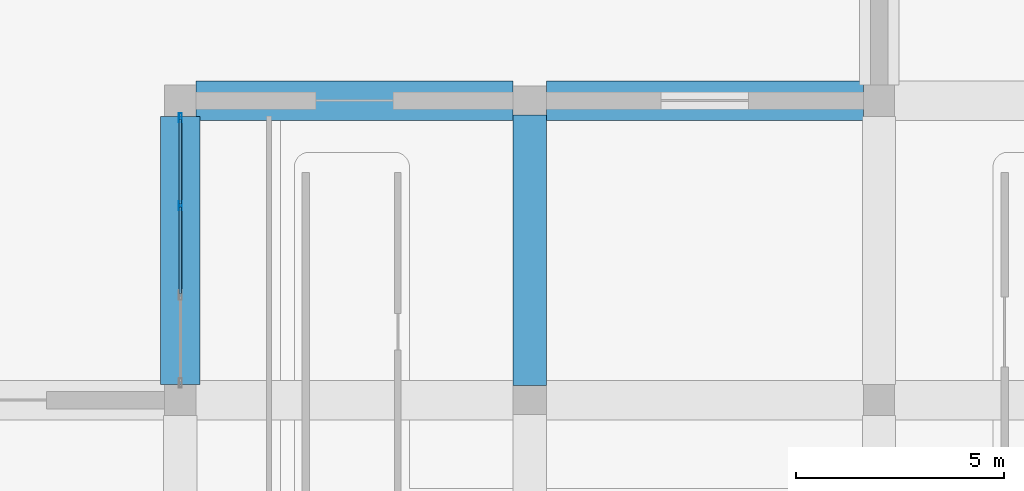
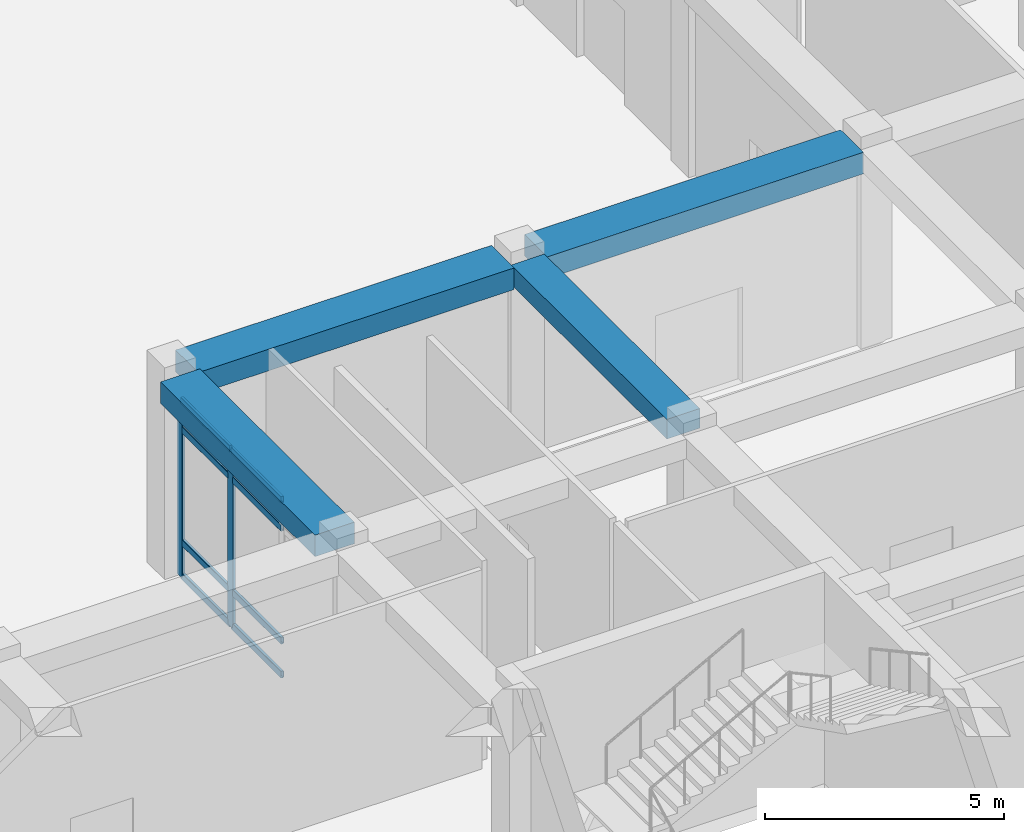
# One storey, part 30 of 84: 10 members, 4 beams, 1 element without a shape of its own.
"""IFC4 building model written with IfcOpenShell, lengths in metres."""

from ifc_helpers import new_model, si_unit, derived_unit, direction, frame, origin, origin_2d, place, context, subcontext, project, spatial, rectangle, hollow_rectangle, extrude, material, material_profile, profile_set, type_object, element, aggregate, save


model = new_model("IFC4")

# Units and contexts
model_context = context("Model", 3, precision=1e-05, world=origin(), true_north=direction((0.0, 1.0)))
body_context = subcontext(model_context, "Body", "Model", "MODEL_VIEW")
ifc_project = project(units=[si_unit("LENGTHUNIT", "METRE"), si_unit("AREAUNIT", "SQUARE_METRE"), si_unit("VOLUMEUNIT", "CUBIC_METRE"), si_unit("PLANEANGLEUNIT", "RADIAN"), si_unit("MASSUNIT", "GRAM", prefix="KILO"), derived_unit("THERMALTRANSMITTANCEUNIT", [(si_unit("POWERUNIT", "WATT"), 1), (si_unit("LENGTHUNIT", "METRE"), -2), (si_unit("THERMODYNAMICTEMPERATUREUNIT", "KELVIN"), -1)])], contexts=[model_context])

# Site, building, storey
site_placement = place(None, origin())
site = spatial("IfcSite", under=ifc_project, at=site_placement, CompositionType="ELEMENT")
building_placement = place(site_placement, origin())
building = spatial("IfcBuilding", under=site, at=building_placement, Name="Veybourne Emporium", CompositionType="ELEMENT")
storey_placement = place(building_placement, origin())
storey = spatial("IfcBuildingStorey", under=building, at=storey_placement, Name="L00", CompositionType="ELEMENT", Elevation=0.0)

# Curtain wall, members
ifc_material_1 = material(Name="Patinated Architectural Bronze", Category="bronze")
curtain_wall_type = type_object("IfcCurtainWallType", Name="CWSystem_CWS-01", PredefinedType="NOTDEFINED", material=ifc_material_1)
curtain_wall_placement = place(storey_placement, origin())
curtain_wall = element("IfcCurtainWall", 1, at=curtain_wall_placement, inside=storey, type_object=curtain_wall_type, Name="L00 bronze glazed curtain wall CWS-01 (018)", PredefinedType="NOTDEFINED")
ifc_material_profile_1 = material_profile(ifc_material_1, hollow_rectangle(XDim=0.072021484375, YDim=0.22509765625, WallThickness=0.0048828125, InnerFilletRadius=0.007568359375, OuterFilletRadius=0.012451171875, at=origin_2d()), Name="CWM 72x225x5")
ifc_profile_set_1 = profile_set([ifc_material_profile_1], Name="Patinated Architectural Bronze")
member_type_1 = type_object("IfcMemberType", Name="CWMullion_CW-M1", PredefinedType="MULLION", material=ifc_profile_set_1)
member_1_placement = place(storey_placement, frame((16.800048828125, 83.875, 0.0), z_axis=(0.0, 0.0, 1.0), x_axis=(-1.0, 0.0, 0.0)))
member_1 = element("IfcMember", 2, at=member_1_placement, type_object=member_type_1, Name="CWS-01 mullion 3", PredefinedType="MULLION", context=body_context, shape_type="SweptSolid", body=[
    extrude(hollow_rectangle(XDim=0.072021484375, YDim=0.22509765625, WallThickness=0.0048828125, InnerFilletRadius=0.007568359375, OuterFilletRadius=0.012451171875, at=origin_2d()), origin(), (0.0, 0.0, 1.0), 4.530029296875),
])
member_2_placement = place(storey_placement, frame((16.800048828125, 85.989013671875, 0.0), z_axis=(0.0, 0.0, 1.0), x_axis=(-1.0, 0.0, 0.0)))
member_2 = element("IfcMember", 3, at=member_2_placement, type_object=member_type_1, Name="CWS-01 mullion 4", PredefinedType="MULLION", context=body_context, shape_type="SweptSolid", body=[
    extrude(hollow_rectangle(XDim=0.072021484375, YDim=0.22509765625, WallThickness=0.0048828125, InnerFilletRadius=0.007568359375, OuterFilletRadius=0.012451171875, at=origin_2d()), origin(), (0.0, 0.0, 1.0), 4.530029296875),
])
ifc_material_profile_2 = material_profile(ifc_material_1, hollow_rectangle(XDim=0.072021484375, YDim=0.175048828125, WallThickness=0.0048828125, InnerFilletRadius=0.007568359375, OuterFilletRadius=0.012451171875, at=origin_2d()), Name="CWT 72x175x5")
ifc_profile_set_2 = profile_set([ifc_material_profile_2], Name="Patinated Architectural Bronze")
member_type_2 = type_object("IfcMemberType", Name="CWTransom_CW-T1", PredefinedType="NOTDEFINED", material=ifc_profile_set_2)
member_3_placement = place(storey_placement, frame((16.800048828125, 81.760986328125, 0.035888671875), z_axis=(0.0, 1.0, 0.0), x_axis=(-1.0, 0.0, 0.0)))
member_3 = element("IfcMember", 4, at=member_3_placement, type_object=member_type_2, Name="CWS-01 transom 2.1", ObjectType="TRANSOM", PredefinedType="USERDEFINED", context=body_context, shape_type="SweptSolid", body=[
    extrude(hollow_rectangle(XDim=0.072021484375, YDim=0.175048828125, WallThickness=0.0048828125, InnerFilletRadius=0.007568359375, OuterFilletRadius=0.012451171875, at=origin_2d()), origin(), (0.0, 0.0, 1.0), 2.078125),
])
member_4_placement = place(storey_placement, frame((16.800048828125, 81.760986328125, 0.89990234375), z_axis=(0.0, 1.0, 0.0), x_axis=(-1.0, 0.0, 0.0)))
member_4 = element("IfcMember", 5, at=member_4_placement, type_object=member_type_2, Name="CWS-01 transom 2.2", ObjectType="TRANSOM", PredefinedType="USERDEFINED", context=body_context, shape_type="SweptSolid", body=[
    extrude(hollow_rectangle(XDim=0.072021484375, YDim=0.175048828125, WallThickness=0.0048828125, InnerFilletRadius=0.007568359375, OuterFilletRadius=0.012451171875, at=origin_2d()), origin(), (0.0, 0.0, 1.0), 2.078125),
])
member_5_placement = place(storey_placement, frame((16.800048828125, 81.760986328125, 3.780029296875), z_axis=(0.0, 1.0, 0.0), x_axis=(-1.0, 0.0, 0.0)))
member_5 = element("IfcMember", 6, at=member_5_placement, type_object=member_type_2, Name="CWS-01 transom 2.3", ObjectType="TRANSOM", PredefinedType="USERDEFINED", context=body_context, shape_type="SweptSolid", body=[
    extrude(hollow_rectangle(XDim=0.072021484375, YDim=0.175048828125, WallThickness=0.0048828125, InnerFilletRadius=0.007568359375, OuterFilletRadius=0.012451171875, at=origin_2d()), origin(), (0.0, 0.0, 1.0), 2.078125),
])
member_6_placement = place(storey_placement, frame((16.800048828125, 81.760986328125, 4.493896484375), z_axis=(0.0, 1.0, 0.0), x_axis=(-1.0, 0.0, 0.0)))
member_6 = element("IfcMember", 7, at=member_6_placement, type_object=member_type_2, Name="CWS-01 transom 2.4", ObjectType="TRANSOM", PredefinedType="USERDEFINED", context=body_context, shape_type="SweptSolid", body=[
    extrude(hollow_rectangle(XDim=0.072021484375, YDim=0.175048828125, WallThickness=0.0048828125, InnerFilletRadius=0.007568359375, OuterFilletRadius=0.012451171875, at=origin_2d()), origin(), (0.0, 0.0, 1.0), 2.078125),
])
member_7_placement = place(storey_placement, frame((16.800048828125, 83.910888671875, 0.035888671875), z_axis=(0.0, 1.0, 0.0), x_axis=(-1.0, 0.0, 0.0)))
member_7 = element("IfcMember", 8, at=member_7_placement, type_object=member_type_2, Name="CWS-01 transom 3.1", ObjectType="TRANSOM", PredefinedType="USERDEFINED", context=body_context, shape_type="SweptSolid", body=[
    extrude(hollow_rectangle(XDim=0.072021484375, YDim=0.175048828125, WallThickness=0.0048828125, InnerFilletRadius=0.007568359375, OuterFilletRadius=0.012451171875, at=origin_2d()), origin(), (0.0, 0.0, 1.0), 2.0419921875),
])
member_8_placement = place(storey_placement, frame((16.800048828125, 83.910888671875, 0.89990234375), z_axis=(0.0, 1.0, 0.0), x_axis=(-1.0, 0.0, 0.0)))
member_8 = element("IfcMember", 9, at=member_8_placement, type_object=member_type_2, Name="CWS-01 transom 3.2", ObjectType="TRANSOM", PredefinedType="USERDEFINED", context=body_context, shape_type="SweptSolid", body=[
    extrude(hollow_rectangle(XDim=0.072021484375, YDim=0.175048828125, WallThickness=0.0048828125, InnerFilletRadius=0.007568359375, OuterFilletRadius=0.012451171875, at=origin_2d()), origin(), (0.0, 0.0, 1.0), 2.0419921875),
])
member_9_placement = place(storey_placement, frame((16.800048828125, 83.910888671875, 3.780029296875), z_axis=(0.0, 1.0, 0.0), x_axis=(-1.0, 0.0, 0.0)))
member_9 = element("IfcMember", 10, at=member_9_placement, type_object=member_type_2, Name="CWS-01 transom 3.3", ObjectType="TRANSOM", PredefinedType="USERDEFINED", context=body_context, shape_type="SweptSolid", body=[
    extrude(hollow_rectangle(XDim=0.072021484375, YDim=0.175048828125, WallThickness=0.0048828125, InnerFilletRadius=0.007568359375, OuterFilletRadius=0.012451171875, at=origin_2d()), origin(), (0.0, 0.0, 1.0), 2.0419921875),
])
member_10_placement = place(storey_placement, frame((16.800048828125, 83.910888671875, 4.493896484375), z_axis=(0.0, 1.0, 0.0), x_axis=(-1.0, 0.0, 0.0)))
member_10 = element("IfcMember", 11, at=member_10_placement, type_object=member_type_2, Name="CWS-01 transom 3.4", ObjectType="TRANSOM", PredefinedType="USERDEFINED", context=body_context, shape_type="SweptSolid", body=[
    extrude(hollow_rectangle(XDim=0.072021484375, YDim=0.175048828125, WallThickness=0.0048828125, InnerFilletRadius=0.007568359375, OuterFilletRadius=0.012451171875, at=origin_2d()), origin(), (0.0, 0.0, 1.0), 2.0419921875),
])
aggregate(curtain_wall, [member_1, member_2, member_3, member_4, member_5, member_6, member_7, member_8, member_9, member_10])

# Beams
ifc_material_2 = material(Name="Concrete C32/40", Category="concrete")
ifc_material_profile_3 = material_profile(ifc_material_2, rectangle(XDim=0.800048828125, YDim=0.5, at=origin_2d()), Name="RC 800x500")
ifc_profile_set_3 = profile_set([ifc_material_profile_3], Name="Concrete C32/40")
beam_type_1 = type_object("IfcBeamType", Name="RCBeam_BB-02", PredefinedType="BEAM", material=ifc_profile_set_3)
beam_1_placement = place(storey_placement, frame((25.199951171875, 79.550048828125, 4.830078125), z_axis=(0.0, 1.0, 0.0), x_axis=(-1.0, 0.0, 0.0)))
element("IfcBeam", 12, at=beam_1_placement, inside=storey, type_object=beam_type_1, Name="L00 Y-grid beam BB-02 (3,11)", PredefinedType="BEAM", context=body_context, shape_type="SweptSolid", body=[
    extrude(rectangle(XDim=0.800048828125, YDim=0.5, at=origin_2d()), origin(), (0.0, 0.0, 1.0), 6.5),
])
ifc_material_profile_4 = material_profile(ifc_material_2, rectangle(XDim=0.949951171875, YDim=0.550048828125, at=origin_2d()), Name="RC 950x550")
ifc_profile_set_4 = profile_set([ifc_material_profile_4], Name="Concrete C32/40")
beam_type_2 = type_object("IfcBeamType", Name="RCBeam_EB-01", PredefinedType="SPANDREL", material=ifc_profile_set_4)
for number, where, z_axis, x_axis, name in (
    (13, (17.175048828125, 86.39990234375, 4.804931640625), (1.0, 0.0, 0.0), (0.0, 1.0, 0.0), "L00 X-grid beam EB-01 (2,12)"),
    (14, (25.60009765625, 86.39990234375, 4.804931640625), (1.0, 0.0, 0.0), (0.0, 1.0, 0.0), "L00 X-grid beam EB-01 (3,12)"),
):
    element("IfcBeam", number, at=place(storey_placement, frame(where, z_axis=z_axis, x_axis=x_axis)), inside=storey, type_object=beam_type_2, Name=name, PredefinedType="SPANDREL", context=body_context, shape_type="SweptSolid", body=[
        extrude(rectangle(XDim=0.949951171875, YDim=0.550048828125, at=origin_2d()), origin(), (0.0, 0.0, 1.0), 7.625),
    ])
beam_2_placement = place(storey_placement, frame((16.800048828125, 79.574951171875, 4.804931640625), z_axis=(0.0, 1.0, 0.0), x_axis=(-1.0, 0.0, 0.0)))
element("IfcBeam", 15, at=beam_2_placement, inside=storey, type_object=beam_type_2, Name="L00 Y-grid beam EB-01 (2,11)", PredefinedType="SPANDREL", context=body_context, shape_type="SweptSolid", body=[
    extrude(rectangle(XDim=0.949951171875, YDim=0.550048828125, at=origin_2d()), origin(), (0.0, 0.0, 1.0), 6.449951171875),
])

save(model, "model.ifc")
